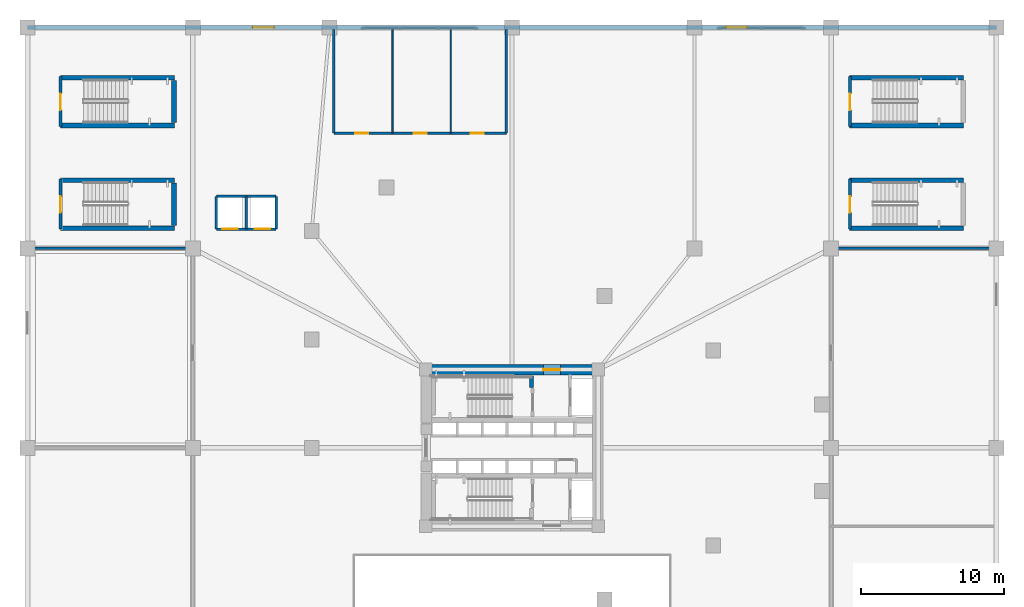
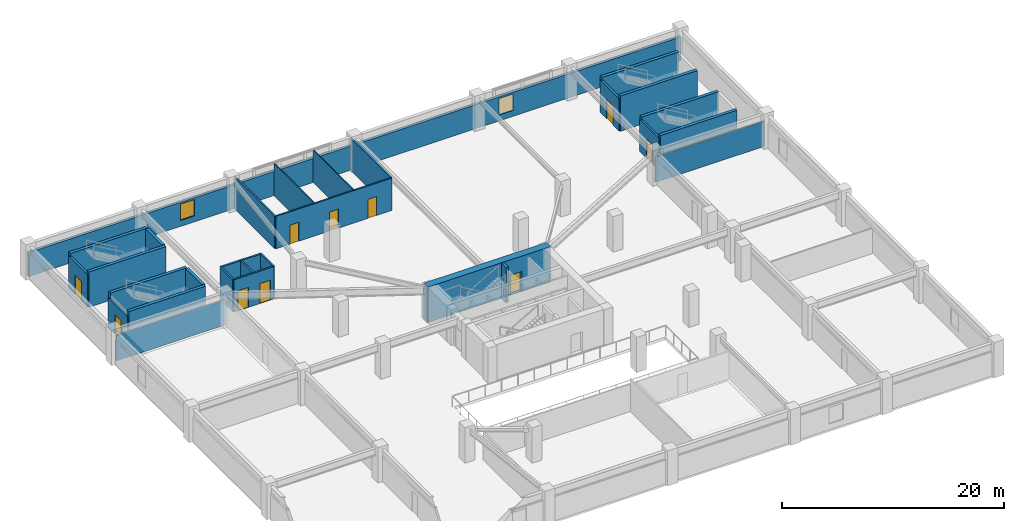
# One storey, part 6 of 15: 29 walls, 10 doors, 2 windows, 12 openings.
"""IFC4 building model written with IfcOpenShell, lengths in metres."""

from ifc_helpers import new_model, si_unit, direction, frame, frame_2d, origin, place, context, subcontext, project, spatial, rectangle, extrude, material, layer, layer_set, type_object, element, fill, save


model = new_model("IFC4")

# Units and contexts
model_context = context("Model", 3, precision=1e-05, world=origin(), true_north=direction((0.0, 1.0)))
body_context = subcontext(model_context, "Body", "Model", "MODEL_VIEW")
ifc_project = project(units=[si_unit("LENGTHUNIT", "METRE"), si_unit("AREAUNIT", "SQUARE_METRE"), si_unit("VOLUMEUNIT", "CUBIC_METRE"), si_unit("PLANEANGLEUNIT", "RADIAN"), si_unit("MASSUNIT", "GRAM", prefix="KILO")], contexts=[model_context])

# Site, building, storey
site_placement = place(None, origin())
site = spatial("IfcSite", under=ifc_project, at=site_placement, CompositionType="ELEMENT")
building_placement = place(site_placement, origin())
building = spatial("IfcBuilding", under=site, at=building_placement, Name="Yunling Apex Tower", CompositionType="ELEMENT")
storey_placement = place(building_placement, frame((0.0, 0.0, 8.39990234375)))
storey = spatial("IfcBuildingStorey", under=building, at=storey_placement, Name="L03", CompositionType="ELEMENT", Elevation=8.39990234375)

# Wall, opening, door
ifc_material_1 = material(Name="Concrete C60", Category="concrete")
ifc_layer_1 = layer(ifc_material_1, 0.75)
ifc_layer_set_1 = layer_set([ifc_layer_1], Name="Concrete C60")
wall_type_1 = type_object("IfcWallType", Name="WL-COR-1", PredefinedType="SHEAR", material=ifc_layer_set_1)
wall_1_placement = place(storey_placement, frame((-6.39990234375, 5.47509765625, 0.0), z_axis=(0.0, 0.0, 1.0), x_axis=(1.0, 0.0, 0.0)))
wall_1 = element("IfcWall", 1, at=wall_1_placement, inside=storey, type_object=wall_type_1, Name="L03 North Core Shear Wall", PredefinedType="SHEAR", context=body_context, shape_type="SweptSolid", body=[
    extrude(rectangle(XDim=12.7998046875, YDim=0.75, at=frame_2d((6.39990234375, 0.0))), origin(), (0.0, 0.0, 1.0), 3.900146484375),
])
opening_1_placement = place(wall_1_placement, frame((8.60009765625, 0.0, 0.0)))
opening_1 = element("IfcOpeningElement", 2, at=opening_1_placement, cuts=wall_1, Name="Opening DR-FFL-1", PredefinedType="OPENING", context=body_context, shape_type="SweptSolid", body=[
    extrude(rectangle(XDim=1.199951171875, YDim=2.199951171875, at=frame_2d((0.60009765625, 1.10009765625))), frame((0.0, 0.385009765625, 0.0), z_axis=(0.0, -1.0, 0.0), x_axis=(1.0, 0.0, 0.0)), (0.0, 0.0, 1.0), 0.77001953125),
])
ifc_material_2 = material(Name="Steel Q355B", Category="steel")
door_type_1 = type_object("IfcDoorType", Name="DR-FFL-1", OperationType="NOTDEFINED", PredefinedType="DOOR", material=ifc_material_2)
door_1_placement = place(opening_1_placement, origin())
door_1 = element("IfcDoor", 3, at=door_1_placement, inside=storey, type_object=door_type_1, Name="L03 North Firefighting Lobby Door", OperationType="SINGLE_SWING_LEFT", OverallHeight=2.199951171875, OverallWidth=1.199951171875, PredefinedType="DOOR", context=body_context, shape_type="SweptSolid", body=[
    extrude(rectangle(XDim=1.199951171875, YDim=2.199951171875, at=frame_2d((0.60009765625, 1.10009765625))), frame((0.0, 0.02490234375, 0.0), z_axis=(0.0, -1.0, 0.0), x_axis=(1.0, 0.0, 0.0)), (0.0, 0.0, 1.0), 0.050048828125),
])
fill(opening_1, door_1)

# Walls
ifc_material_3 = material(Name="Concrete C40", Category="concrete")
ifc_layer_2 = layer(ifc_material_3, 0.320068359375)
ifc_layer_set_2 = layer_set([ifc_layer_2], Name="Concrete C40")
wall_type_2 = type_object("IfcWallType", Name="WL-COR-7", PredefinedType="SHEAR", material=ifc_layer_set_2)
for number, where, z_axis, x_axis, name in (
    (4, (-31.699951171875, 18.780029296875, 0.0), (0.0, 0.0, 1.0), (1.0, 0.0, 0.0), "L03 STP1 North Bearing Wall"),
    (5, (-31.699951171875, 15.419921875, 0.0), (0.0, 0.0, 1.0), (1.0, 0.0, 0.0), "L03 STP1 South Bearing Wall"),
):
    element("IfcWall", number, at=place(storey_placement, frame(where, z_axis=z_axis, x_axis=x_axis)), inside=storey, type_object=wall_type_2, Name=name, PredefinedType="SHEAR", context=body_context, shape_type="SweptSolid", body=[
        extrude(rectangle(XDim=8.0, YDim=0.320068359375, at=frame_2d((4.0, 0.0))), origin(), (0.0, 0.0, 1.0), 3.900146484375),
    ])
wall_2_placement = place(storey_placement, frame((-23.719970703125, 15.6201171875, 0.0), z_axis=(0.0, 0.0, 1.0), x_axis=(0.0, 1.0, 0.0)))
element("IfcWall", 6, at=wall_2_placement, inside=storey, type_object=wall_type_2, Name="L03 STP1 Half-Landing Bearing Wall", PredefinedType="SHEAR", context=body_context, shape_type="SweptSolid", body=[
    extrude(rectangle(XDim=2.9599609375, YDim=0.320068359375, at=frame_2d((1.47998046875, 0.0))), origin(), (0.0, 0.0, 1.0), 3.900146484375),
])
for number, where, z_axis, x_axis, name in (
    (7, (23.699951171875, 18.780029296875, 0.0), (0.0, 0.0, 1.0), (1.0, 0.0, 0.0), "L03 STP2 North Bearing Wall"),
    (8, (23.699951171875, 15.419921875, 0.0), (0.0, 0.0, 1.0), (1.0, 0.0, 0.0), "L03 STP2 South Bearing Wall"),
    (9, (-31.699951171875, 25.97998046875, 0.0), (0.0, 0.0, 1.0), (1.0, 0.0, 0.0), "L03 STG1 North Bearing Wall"),
    (10, (-31.699951171875, 22.6201171875, 0.0), (0.0, 0.0, 1.0), (1.0, 0.0, 0.0), "L03 STG1 South Bearing Wall"),
):
    element("IfcWall", number, at=place(storey_placement, frame(where, z_axis=z_axis, x_axis=x_axis)), inside=storey, type_object=wall_type_2, Name=name, PredefinedType="SHEAR", context=body_context, shape_type="SweptSolid", body=[
        extrude(rectangle(XDim=8.0, YDim=0.320068359375, at=frame_2d((4.0, 0.0))), origin(), (0.0, 0.0, 1.0), 3.900146484375),
    ])
wall_3_placement = place(storey_placement, frame((-23.719970703125, 22.820068359375, 0.0), z_axis=(0.0, 0.0, 1.0), x_axis=(0.0, 1.0, 0.0)))
element("IfcWall", 11, at=wall_3_placement, inside=storey, type_object=wall_type_2, Name="L03 STG1 Half-Landing Bearing Wall", PredefinedType="SHEAR", context=body_context, shape_type="SweptSolid", body=[
    extrude(rectangle(XDim=2.9599609375, YDim=0.320068359375, at=frame_2d((1.47998046875, 0.0))), origin(), (0.0, 0.0, 1.0), 3.900146484375),
])
for number, where, z_axis, x_axis, name in (
    (12, (23.699951171875, 25.97998046875, 0.0), (0.0, 0.0, 1.0), (1.0, 0.0, 0.0), "L03 STG2 North Bearing Wall"),
    (13, (23.699951171875, 22.6201171875, 0.0), (0.0, 0.0, 1.0), (1.0, 0.0, 0.0), "L03 STG2 South Bearing Wall"),
):
    element("IfcWall", number, at=place(storey_placement, frame(where, z_axis=z_axis, x_axis=x_axis)), inside=storey, type_object=wall_type_2, Name=name, PredefinedType="SHEAR", context=body_context, shape_type="SweptSolid", body=[
        extrude(rectangle(XDim=8.0, YDim=0.320068359375, at=frame_2d((4.0, 0.0))), origin(), (0.0, 0.0, 1.0), 3.900146484375),
    ])
ifc_layer_3 = layer(ifc_material_3, 0.280029296875)
ifc_layer_set_3 = layer_set([ifc_layer_3], Name="Concrete C40")
wall_type_3 = type_object("IfcWallType", Name="WL-COR-8", PredefinedType="SHEAR", material=ifc_layer_set_3)
wall_4_placement = place(storey_placement, frame((1.3798828125, 4.25, 0.0), z_axis=(0.0, 0.0, 1.0), x_axis=(0.0, 1.0, 0.0)))
element("IfcWall", 14, at=wall_4_placement, inside=storey, type_object=wall_type_3, Name="L03 ST-1 East Landing Bearing Pier", PredefinedType="SHEAR", context=body_context, shape_type="SweptSolid", body=[
    extrude(rectangle(XDim=0.800048828125, YDim=0.280029296875, at=frame_2d((0.39990234375, 0.0))), origin(), (0.0, 0.0, 1.0), 3.900146484375),
])

# Wall, openings, windows
ifc_material_4 = material(Name="Precast concrete C40", Category="concrete")
ifc_layer_4 = layer(ifc_material_4, 0.280029296875)
ifc_layer_set_4 = layer_set([ifc_layer_4], Name="Precast concrete C40")
wall_type_4 = type_object("IfcWallType", Name="WL-EXT-2", PredefinedType="SOLIDWALL", material=ifc_layer_set_4)
wall_5_placement = place(storey_placement, frame((-34.0, 29.5, 0.0), z_axis=(0.0, 0.0, 1.0), x_axis=(1.0, 0.0, 0.0)))
wall_5 = element("IfcWall", 15, at=wall_5_placement, inside=storey, type_object=wall_type_4, Name="WL-POD-L03-N", PredefinedType="SOLIDWALL", context=body_context, shape_type="SweptSolid", body=[
    extrude(rectangle(XDim=68.0, YDim=0.280029296875, at=frame_2d((34.0, 0.0))), origin(), (0.0, 0.0, 1.0), 2.650146484375),
])
opening_2_placement = place(wall_5_placement, frame((15.800048828125, 0.0, 0.64990234375)))
opening_2 = element("IfcOpeningElement", 16, at=opening_2_placement, cuts=wall_5, Name="Opening WN-POD-3", PredefinedType="OPENING", context=body_context, shape_type="SweptSolid", body=[
    extrude(rectangle(XDim=1.5, YDim=1.800048828125, at=frame_2d((0.75, 0.89990234375))), frame((0.0, 0.14990234375, 0.0), z_axis=(0.0, -1.0, 0.0), x_axis=(1.0, 0.0, 0.0)), (0.0, 0.0, 1.0), 0.300048828125),
])
opening_3_placement = place(wall_5_placement, frame((49.0, 0.0, 0.64990234375)))
opening_3 = element("IfcOpeningElement", 17, at=opening_3_placement, cuts=wall_5, Name="Opening WN-POD-3", PredefinedType="OPENING", context=body_context, shape_type="SweptSolid", body=[
    extrude(rectangle(XDim=1.5, YDim=1.800048828125, at=frame_2d((0.75, 0.89990234375))), frame((0.0, 0.14990234375, 0.0), z_axis=(0.0, -1.0, 0.0), x_axis=(1.0, 0.0, 0.0)), (0.0, 0.0, 1.0), 0.300048828125),
])
ifc_material_5 = material(Name="Bronze tinted low-E glass", Category="glass")
window_type = type_object("IfcWindowType", Name="WN-POD-3", PartitioningType="SINGLE_PANEL", PredefinedType="WINDOW", material=ifc_material_5)
window_1_placement = place(opening_2_placement, origin())
window_1 = element("IfcWindow", 18, at=window_1_placement, inside=storey, type_object=window_type, Name="WN-L03-N-1", OverallHeight=1.800048828125, OverallWidth=1.5, PartitioningType="SINGLE_PANEL", PredefinedType="WINDOW", context=body_context, shape_type="SweptSolid", body=[
    extrude(rectangle(XDim=1.5, YDim=1.800048828125, at=frame_2d((0.75, 0.89990234375))), frame((0.0, 0.030029296875, 0.0), z_axis=(0.0, -1.0, 0.0), x_axis=(1.0, 0.0, 0.0)), (0.0, 0.0, 1.0), 0.06005859375),
])
fill(opening_2, window_1)
window_2_placement = place(opening_3_placement, origin())
window_2 = element("IfcWindow", 19, at=window_2_placement, inside=storey, type_object=window_type, Name="WN-L03-N-2", OverallHeight=1.800048828125, OverallWidth=1.5, PartitioningType="SINGLE_PANEL", PredefinedType="WINDOW", context=body_context, shape_type="SweptSolid", body=[
    extrude(rectangle(XDim=1.5, YDim=1.800048828125, at=frame_2d((0.75, 0.89990234375))), frame((0.0, 0.030029296875, 0.0), z_axis=(0.0, -1.0, 0.0), x_axis=(1.0, 0.0, 0.0)), (0.0, 0.0, 1.0), 0.06005859375),
])
fill(opening_3, window_2)

# Wall, openings, doors
ifc_material_6 = material(Name="Gypsum board acoustic partition")
ifc_layer_5 = layer(ifc_material_6, 0.159912109375)
ifc_layer_set_5 = layer_set([ifc_layer_5], Name="Gypsum board acoustic partition")
wall_type_5 = type_object("IfcWallType", Name="WL-PRT-1", PredefinedType="PARTITIONING", material=ifc_layer_set_5)
wall_6_placement = place(storey_placement, frame((-12.5, 22.080078125, 0.0), z_axis=(0.0, 0.0, 1.0), x_axis=(1.0, 0.0, 0.0)))
wall_6 = element("IfcWall", 20, at=wall_6_placement, inside=storey, type_object=wall_type_5, Name="WL-L03-WCS", PredefinedType="PARTITIONING", context=body_context, shape_type="SweptSolid", body=[
    extrude(rectangle(XDim=12.10009765625, YDim=0.159912109375, at=frame_2d((6.050048828125, 0.0))), origin(), (0.0, 0.0, 1.0), 3.570068359375),
])
opening_4_placement = place(wall_6_placement, frame((1.5, 0.0, 0.0)))
opening_4 = element("IfcOpeningElement", 21, at=opening_4_placement, cuts=wall_6, Name="Opening DR-WC-1", PredefinedType="OPENING", context=body_context, shape_type="SweptSolid", body=[
    extrude(rectangle(XDim=0.919921875, YDim=2.10009765625, at=frame_2d((0.4599609375, 1.050048828125))), frame((0.0, 0.08984375, 0.0), z_axis=(0.0, -1.0, 0.0), x_axis=(1.0, 0.0, 0.0)), (0.0, 0.0, 1.0), 0.179931640625),
])
opening_5_placement = place(wall_6_placement, frame((5.60009765625, 0.0, 0.0)))
opening_5 = element("IfcOpeningElement", 22, at=opening_5_placement, cuts=wall_6, Name="Opening DR-WC-1", PredefinedType="OPENING", context=body_context, shape_type="SweptSolid", body=[
    extrude(rectangle(XDim=0.919921875, YDim=2.10009765625, at=frame_2d((0.4599609375, 1.050048828125))), frame((0.0, 0.08984375, 0.0), z_axis=(0.0, -1.0, 0.0), x_axis=(1.0, 0.0, 0.0)), (0.0, 0.0, 1.0), 0.179931640625),
])
opening_6_placement = place(wall_6_placement, frame((9.60009765625, 0.0, 0.0)))
opening_6 = element("IfcOpeningElement", 23, at=opening_6_placement, cuts=wall_6, Name="Opening DR-WC-1", PredefinedType="OPENING", context=body_context, shape_type="SweptSolid", body=[
    extrude(rectangle(XDim=0.919921875, YDim=2.10009765625, at=frame_2d((0.4599609375, 1.050048828125))), frame((0.0, 0.08984375, 0.0), z_axis=(0.0, -1.0, 0.0), x_axis=(1.0, 0.0, 0.0)), (0.0, 0.0, 1.0), 0.179931640625),
])
ifc_material_7 = material(Name="Timber moisture-resistant leaf", Category="wood")
door_type_2 = type_object("IfcDoorType", Name="DR-WC-1", OperationType="NOTDEFINED", PredefinedType="DOOR", material=ifc_material_7)
door_2_placement = place(opening_4_placement, origin())
door_2 = element("IfcDoor", 24, at=door_2_placement, inside=storey, type_object=door_type_2, Name="L03 Male Toilet Door", OperationType="SINGLE_SWING_LEFT", OverallHeight=2.10009765625, OverallWidth=0.919921875, PredefinedType="DOOR", context=body_context, shape_type="SweptSolid", body=[
    extrude(rectangle(XDim=0.919921875, YDim=2.10009765625, at=frame_2d((0.4599609375, 1.050048828125))), frame((0.0, 0.02490234375, 0.0), z_axis=(0.0, -1.0, 0.0), x_axis=(1.0, 0.0, 0.0)), (0.0, 0.0, 1.0), 0.050048828125),
])
fill(opening_4, door_2)
door_3_placement = place(opening_5_placement, origin())
door_3 = element("IfcDoor", 25, at=door_3_placement, inside=storey, type_object=door_type_2, Name="L03 Female Toilet Door", OperationType="SINGLE_SWING_RIGHT", OverallHeight=2.10009765625, OverallWidth=0.919921875, PredefinedType="DOOR", context=body_context, shape_type="SweptSolid", body=[
    extrude(rectangle(XDim=0.919921875, YDim=2.10009765625, at=frame_2d((0.4599609375, 1.050048828125))), frame((0.0, 0.02490234375, 0.0), z_axis=(0.0, -1.0, 0.0), x_axis=(1.0, 0.0, 0.0)), (0.0, 0.0, 1.0), 0.050048828125),
])
fill(opening_5, door_3)
door_4_placement = place(opening_6_placement, origin())
door_4 = element("IfcDoor", 26, at=door_4_placement, inside=storey, type_object=door_type_2, Name="L03 Accessible WC Door", OperationType="SINGLE_SWING_LEFT", OverallHeight=2.10009765625, OverallWidth=0.919921875, PredefinedType="DOOR", context=body_context, shape_type="SweptSolid", body=[
    extrude(rectangle(XDim=0.919921875, YDim=2.10009765625, at=frame_2d((0.4599609375, 1.050048828125))), frame((0.0, 0.02490234375, 0.0), z_axis=(0.0, -1.0, 0.0), x_axis=(1.0, 0.0, 0.0)), (0.0, 0.0, 1.0), 0.050048828125),
])
fill(opening_6, door_4)

# Walls
for number, where, z_axis, x_axis, name in (
    (27, (-12.5, 22.080078125, 0.0), (0.0, 0.0, 1.0), (0.0, 1.0, 0.0), "WL-L03-WCW"),
    (28, (-0.39990234375, 22.080078125, 0.0), (0.0, 0.0, 1.0), (0.0, 1.0, 0.0), "WL-L03-WCE"),
):
    element("IfcWall", number, at=place(storey_placement, frame(where, z_axis=z_axis, x_axis=x_axis)), inside=storey, type_object=wall_type_5, Name=name, PredefinedType="PARTITIONING", context=body_context, shape_type="SweptSolid", body=[
        extrude(rectangle(XDim=7.27001953125, YDim=0.159912109375, at=frame_2d((3.635009765625, 0.0))), origin(), (0.0, 0.0, 1.0), 3.570068359375),
    ])
for number, where, z_axis, x_axis, name in (
    (29, (-33.800048828125, 14.0, 0.0), (0.0, 0.0, 1.0), (1.0, 0.0, 0.0), "WL-L03-WN"),
    (30, (22.39990234375, 14.0, 0.0), (0.0, 0.0, 1.0), (1.0, 0.0, 0.0), "WL-L03-EN"),
):
    element("IfcWall", number, at=place(storey_placement, frame(where, z_axis=z_axis, x_axis=x_axis)), inside=storey, type_object=wall_type_5, Name=name, PredefinedType="PARTITIONING", context=body_context, shape_type="SweptSolid", body=[
        extrude(rectangle(XDim=11.400146484375, YDim=0.159912109375, at=frame_2d((5.7001953125, 0.0))), origin(), (0.0, 0.0, 1.0), 2.775146484375),
    ])
ifc_layer_6 = layer(ifc_material_6, 0.10009765625)
ifc_layer_set_6 = layer_set([ifc_layer_6], Name="Gypsum board acoustic partition")
wall_type_6 = type_object("IfcWallType", Name="WL-PRT-4", PredefinedType="PARTITIONING", material=ifc_layer_set_6)
for number, where, z_axis, x_axis, name in (
    (31, (-8.39990234375, 22.080078125, 0.0), (0.0, 0.0, 1.0), (0.0, 1.0, 0.0), "WL-L03-WCD1"),
    (32, (-4.300048828125, 22.080078125, 0.0), (0.0, 0.0, 1.0), (0.0, 1.0, 0.0), "WL-L03-WCD2"),
):
    element("IfcWall", number, at=place(storey_placement, frame(where, z_axis=z_axis, x_axis=x_axis)), inside=storey, type_object=wall_type_6, Name=name, PredefinedType="PARTITIONING", context=body_context, shape_type="SweptSolid", body=[
        extrude(rectangle(XDim=7.27001953125, YDim=0.10009765625, at=frame_2d((3.635009765625, 0.0))), origin(), (0.0, 0.0, 1.0), 3.570068359375),
    ])

# Wall, opening, door
ifc_material_8 = material(Name="Autoclaved aerated concrete masonry", Category="masonry")
ifc_layer_7 = layer(ifc_material_8, 0.219970703125)
ifc_layer_set_7 = layer_set([ifc_layer_7], Name="Autoclaved aerated concrete masonry")
wall_type_7 = type_object("IfcWallType", Name="WL-SHF-1", PredefinedType="PLUMBINGWALL", material=ifc_layer_set_7)
wall_7_placement = place(storey_placement, frame((-31.679931640625, 15.35009765625, 0.0), z_axis=(0.0, 0.0, 1.0), x_axis=(0.0, 1.0, 0.0)))
wall_7 = element("IfcWall", 33, at=wall_7_placement, inside=storey, type_object=wall_type_7, Name="WL-STP1-W-L03", PredefinedType="PLUMBINGWALL", context=body_context, shape_type="SweptSolid", body=[
    extrude(rectangle(XDim=3.5, YDim=0.219970703125, at=frame_2d((1.75, 0.0))), origin(), (0.0, 0.0, 1.0), 3.300048828125),
])
opening_7_placement = place(wall_7_placement, frame((1.14990234375, 0.0, 0.0)))
opening_7 = element("IfcOpeningElement", 34, at=opening_7_placement, cuts=wall_7, Name="Opening DR-ST-1", PredefinedType="OPENING", context=body_context, shape_type="SweptSolid", body=[
    extrude(rectangle(XDim=1.14990234375, YDim=2.14990234375, at=frame_2d((0.574951171875, 1.074951171875))), frame((0.0, 0.1201171875, 0.0), z_axis=(0.0, -1.0, 0.0), x_axis=(1.0, 0.0, 0.0)), (0.0, 0.0, 1.0), 0.239990234375),
])
door_type_3 = type_object("IfcDoorType", Name="DR-ST-1", OperationType="NOTDEFINED", PredefinedType="DOOR", material=ifc_material_2)
door_5_placement = place(opening_7_placement, origin())
door_5 = element("IfcDoor", 35, at=door_5_placement, inside=storey, type_object=door_type_3, Name="L03 Stair ST-P1 Door", OperationType="SINGLE_SWING_LEFT", OverallHeight=2.14990234375, OverallWidth=1.14990234375, PredefinedType="DOOR", context=body_context, shape_type="SweptSolid", body=[
    extrude(rectangle(XDim=1.14990234375, YDim=2.14990234375, at=frame_2d((0.574951171875, 1.074951171875))), frame((0.0, 0.02490234375, 0.0), z_axis=(0.0, -1.0, 0.0), x_axis=(1.0, 0.0, 0.0)), (0.0, 0.0, 1.0), 0.050048828125),
])
fill(opening_7, door_5)

wall_8_placement = place(storey_placement, frame((23.719970703125, 15.35009765625, 0.0), z_axis=(0.0, 0.0, 1.0), x_axis=(0.0, 1.0, 0.0)))
wall_8 = element("IfcWall", 36, at=wall_8_placement, inside=storey, type_object=wall_type_7, Name="WL-STP2-W-L03", PredefinedType="PLUMBINGWALL", context=body_context, shape_type="SweptSolid", body=[
    extrude(rectangle(XDim=3.5, YDim=0.219970703125, at=frame_2d((1.75, 0.0))), origin(), (0.0, 0.0, 1.0), 3.570068359375),
])
opening_8_placement = place(wall_8_placement, frame((1.14990234375, 0.0, 0.0)))
opening_8 = element("IfcOpeningElement", 37, at=opening_8_placement, cuts=wall_8, Name="Opening DR-ST-1", PredefinedType="OPENING", context=body_context, shape_type="SweptSolid", body=[
    extrude(rectangle(XDim=1.14990234375, YDim=2.14990234375, at=frame_2d((0.574951171875, 1.074951171875))), frame((0.0, 0.1201171875, 0.0), z_axis=(0.0, -1.0, 0.0), x_axis=(1.0, 0.0, 0.0)), (0.0, 0.0, 1.0), 0.239990234375),
])
door_6_placement = place(opening_8_placement, origin())
door_6 = element("IfcDoor", 38, at=door_6_placement, inside=storey, type_object=door_type_3, Name="L03 Stair ST-P2 Door", OperationType="SINGLE_SWING_RIGHT", OverallHeight=2.14990234375, OverallWidth=1.14990234375, PredefinedType="DOOR", context=body_context, shape_type="SweptSolid", body=[
    extrude(rectangle(XDim=1.14990234375, YDim=2.14990234375, at=frame_2d((0.574951171875, 1.074951171875))), frame((0.0, 0.02490234375, 0.0), z_axis=(0.0, -1.0, 0.0), x_axis=(1.0, 0.0, 0.0)), (0.0, 0.0, 1.0), 0.050048828125),
])
fill(opening_8, door_6)

wall_9_placement = place(storey_placement, frame((-31.679931640625, 22.550048828125, 0.0), z_axis=(0.0, 0.0, 1.0), x_axis=(0.0, 1.0, 0.0)))
wall_9 = element("IfcWall", 39, at=wall_9_placement, inside=storey, type_object=wall_type_7, Name="WL-STG1-W-L03", PredefinedType="PLUMBINGWALL", context=body_context, shape_type="SweptSolid", body=[
    extrude(rectangle(XDim=3.5, YDim=0.219970703125, at=frame_2d((1.75, 0.0))), origin(), (0.0, 0.0, 1.0), 3.570068359375),
])
opening_9_placement = place(wall_9_placement, frame((1.14990234375, 0.0, 0.0)))
opening_9 = element("IfcOpeningElement", 40, at=opening_9_placement, cuts=wall_9, Name="Opening DR-ST-1", PredefinedType="OPENING", context=body_context, shape_type="SweptSolid", body=[
    extrude(rectangle(XDim=1.14990234375, YDim=2.14990234375, at=frame_2d((0.574951171875, 1.074951171875))), frame((0.0, 0.1201171875, 0.0), z_axis=(0.0, -1.0, 0.0), x_axis=(1.0, 0.0, 0.0)), (0.0, 0.0, 1.0), 0.239990234375),
])
door_7_placement = place(opening_9_placement, origin())
door_7 = element("IfcDoor", 41, at=door_7_placement, inside=storey, type_object=door_type_3, Name="L03 Garden Stair ST-G1 Door", OperationType="SINGLE_SWING_LEFT", OverallHeight=2.14990234375, OverallWidth=1.14990234375, PredefinedType="DOOR", context=body_context, shape_type="SweptSolid", body=[
    extrude(rectangle(XDim=1.14990234375, YDim=2.14990234375, at=frame_2d((0.574951171875, 1.074951171875))), frame((0.0, 0.02490234375, 0.0), z_axis=(0.0, -1.0, 0.0), x_axis=(1.0, 0.0, 0.0)), (0.0, 0.0, 1.0), 0.050048828125),
])
fill(opening_9, door_7)

wall_10_placement = place(storey_placement, frame((23.719970703125, 22.550048828125, 0.0), z_axis=(0.0, 0.0, 1.0), x_axis=(0.0, 1.0, 0.0)))
wall_10 = element("IfcWall", 42, at=wall_10_placement, inside=storey, type_object=wall_type_7, Name="WL-STG2-W-L03", PredefinedType="PLUMBINGWALL", context=body_context, shape_type="SweptSolid", body=[
    extrude(rectangle(XDim=3.5, YDim=0.219970703125, at=frame_2d((1.75, 0.0))), origin(), (0.0, 0.0, 1.0), 3.570068359375),
])
opening_10_placement = place(wall_10_placement, frame((1.14990234375, 0.0, 0.0)))
opening_10 = element("IfcOpeningElement", 43, at=opening_10_placement, cuts=wall_10, Name="Opening DR-ST-1", PredefinedType="OPENING", context=body_context, shape_type="SweptSolid", body=[
    extrude(rectangle(XDim=1.14990234375, YDim=2.14990234375, at=frame_2d((0.574951171875, 1.074951171875))), frame((0.0, 0.1201171875, 0.0), z_axis=(0.0, -1.0, 0.0), x_axis=(1.0, 0.0, 0.0)), (0.0, 0.0, 1.0), 0.239990234375),
])
door_8_placement = place(opening_10_placement, origin())
door_8 = element("IfcDoor", 44, at=door_8_placement, inside=storey, type_object=door_type_3, Name="L03 Garden Stair ST-G2 Door", OperationType="SINGLE_SWING_RIGHT", OverallHeight=2.14990234375, OverallWidth=1.14990234375, PredefinedType="DOOR", context=body_context, shape_type="SweptSolid", body=[
    extrude(rectangle(XDim=1.14990234375, YDim=2.14990234375, at=frame_2d((0.574951171875, 1.074951171875))), frame((0.0, 0.02490234375, 0.0), z_axis=(0.0, -1.0, 0.0), x_axis=(1.0, 0.0, 0.0)), (0.0, 0.0, 1.0), 0.050048828125),
])
fill(opening_10, door_8)

# Wall, openings, doors
ifc_layer_8 = layer(ifc_material_8, 0.179931640625)
ifc_layer_set_8 = layer_set([ifc_layer_8], Name="Autoclaved aerated concrete masonry")
wall_type_8 = type_object("IfcWallType", Name="WL-SHF-2", PredefinedType="PLUMBINGWALL", material=ifc_layer_set_8)
wall_11_placement = place(storey_placement, frame((-20.75, 15.35009765625, 0.0), z_axis=(0.0, 0.0, 1.0), x_axis=(1.0, 0.0, 0.0)))
wall_11 = element("IfcWall", 45, at=wall_11_placement, inside=storey, type_object=wall_type_8, Name="WL-PLP-S-L03", PredefinedType="PLUMBINGWALL", context=body_context, shape_type="SweptSolid", body=[
    extrude(rectangle(XDim=4.199951171875, YDim=0.179931640625, at=frame_2d((2.10009765625, 0.0))), origin(), (0.0, 0.0, 1.0), 3.570068359375),
])
opening_11_placement = place(wall_11_placement, frame((0.39990234375, 0.0, 0.0)))
opening_11 = element("IfcOpeningElement", 46, at=opening_11_placement, cuts=wall_11, Name="Opening LD-PAS-1", PredefinedType="OPENING", context=body_context, shape_type="SweptSolid", body=[
    extrude(rectangle(XDim=1.10009765625, YDim=2.199951171875, at=frame_2d((0.550048828125, 1.10009765625))), frame((0.0, 0.10009765625, 0.0), z_axis=(0.0, -1.0, 0.0), x_axis=(1.0, 0.0, 0.0)), (0.0, 0.0, 1.0), 0.199951171875),
])
opening_12_placement = place(wall_11_placement, frame((2.699951171875, 0.0, 0.0)))
opening_12 = element("IfcOpeningElement", 47, at=opening_12_placement, cuts=wall_11, Name="Opening LD-PAS-1", PredefinedType="OPENING", context=body_context, shape_type="SweptSolid", body=[
    extrude(rectangle(XDim=1.10009765625, YDim=2.199951171875, at=frame_2d((0.550048828125, 1.10009765625))), frame((0.0, 0.10009765625, 0.0), z_axis=(0.0, -1.0, 0.0), x_axis=(1.0, 0.0, 0.0)), (0.0, 0.0, 1.0), 0.199951171875),
])
ifc_material_9 = material(Name="Silver anodised aluminium", Category="aluminium")
door_type_4 = type_object("IfcDoorType", Name="LD-PAS-1", OperationType="DOUBLE_DOOR_SLIDING", PredefinedType="DOOR", material=ifc_material_9)
door_9_placement = place(opening_11_placement, origin())
door_9 = element("IfcDoor", 48, at=door_9_placement, inside=storey, type_object=door_type_4, Name="L03 Lift PL-P1 Landing Door", OperationType="DOUBLE_DOOR_SLIDING", OverallHeight=2.199951171875, OverallWidth=1.10009765625, PredefinedType="DOOR", context=body_context, shape_type="SweptSolid", body=[
    extrude(rectangle(XDim=1.10009765625, YDim=2.199951171875, at=frame_2d((0.550048828125, 1.10009765625))), frame((0.0, 0.02490234375, 0.0), z_axis=(0.0, -1.0, 0.0), x_axis=(1.0, 0.0, 0.0)), (0.0, 0.0, 1.0), 0.050048828125),
])
fill(opening_11, door_9)
door_10_placement = place(opening_12_placement, origin())
door_10 = element("IfcDoor", 49, at=door_10_placement, inside=storey, type_object=door_type_4, Name="L03 Lift PL-P2 Landing Door", OperationType="DOUBLE_DOOR_SLIDING", OverallHeight=2.199951171875, OverallWidth=1.10009765625, PredefinedType="DOOR", context=body_context, shape_type="SweptSolid", body=[
    extrude(rectangle(XDim=1.10009765625, YDim=2.199951171875, at=frame_2d((0.550048828125, 1.10009765625))), frame((0.0, 0.02490234375, 0.0), z_axis=(0.0, -1.0, 0.0), x_axis=(1.0, 0.0, 0.0)), (0.0, 0.0, 1.0), 0.050048828125),
])
fill(opening_12, door_10)

# Walls
wall_12_placement = place(storey_placement, frame((-20.75, 17.64990234375, 0.0), z_axis=(0.0, 0.0, 1.0), x_axis=(1.0, 0.0, 0.0)))
element("IfcWall", 50, at=wall_12_placement, inside=storey, type_object=wall_type_8, Name="WL-PLP-N-L03", PredefinedType="PLUMBINGWALL", context=body_context, shape_type="SweptSolid", body=[
    extrude(rectangle(XDim=4.199951171875, YDim=0.179931640625, at=frame_2d((2.10009765625, 0.0))), origin(), (0.0, 0.0, 1.0), 3.570068359375),
])
for number, where, z_axis, x_axis, name in (
    (51, (-20.75, 15.35009765625, 0.0), (0.0, 0.0, 1.0), (0.0, 1.0, 0.0), "WL-PLP-W-L03"),
    (52, (-18.64990234375, 15.35009765625, 0.0), (0.0, 0.0, 1.0), (0.0, 1.0, 0.0), "WL-PLP-M-L03"),
    (53, (-16.550048828125, 15.35009765625, 0.0), (0.0, 0.0, 1.0), (0.0, 1.0, 0.0), "WL-PLP-E-L03"),
):
    element("IfcWall", number, at=place(storey_placement, frame(where, z_axis=z_axis, x_axis=x_axis)), inside=storey, type_object=wall_type_8, Name=name, PredefinedType="PLUMBINGWALL", context=body_context, shape_type="SweptSolid", body=[
        extrude(rectangle(XDim=2.2998046875, YDim=0.179931640625, at=frame_2d((1.14990234375, 0.0))), origin(), (0.0, 0.0, 1.0), 3.570068359375),
    ])

save(model, "model.ifc")
